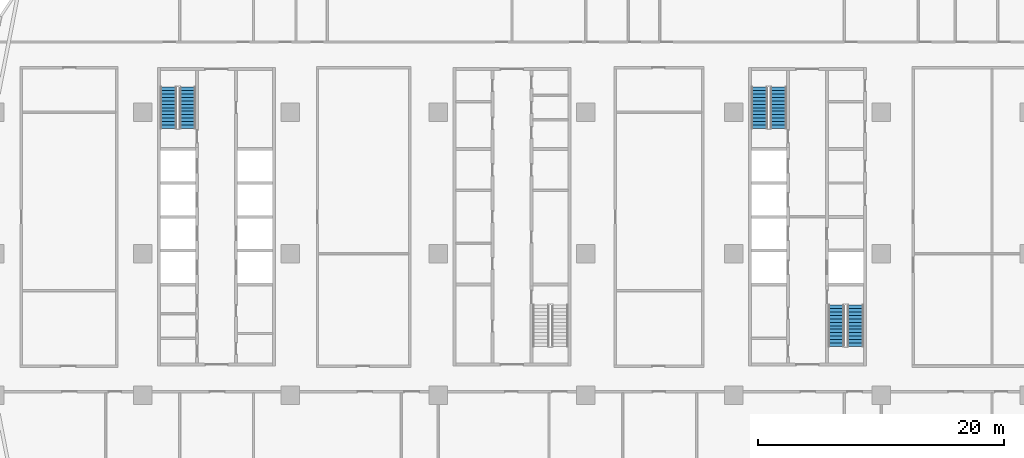
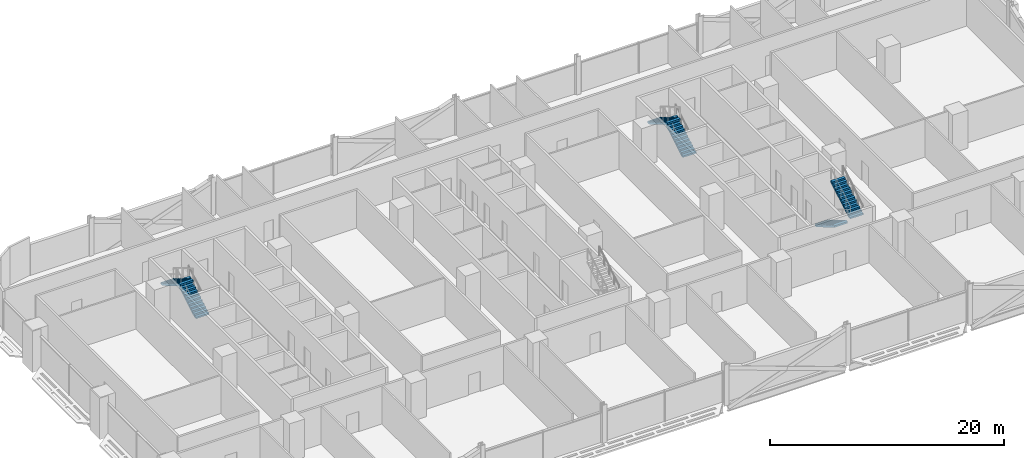
# One storey, part 18 of 29: 6 stair flights, 3 elements without a shape of their own.
"""IFC4 building model written with IfcOpenShell, lengths in metres."""

from ifc_helpers import new_model, si_unit, direction, frame, origin, place, context, subcontext, project, spatial, polyline, outline, extrude, material, type_object, element, aggregate, save


model = new_model("IFC4")

# Units and contexts
model_context = context("Model", 3, precision=1e-05, world=origin(), true_north=direction((0.0, 1.0)))
body_context = subcontext(model_context, "Body", "Model", "MODEL_VIEW")
ifc_project = project(units=[si_unit("LENGTHUNIT", "METRE"), si_unit("AREAUNIT", "SQUARE_METRE"), si_unit("VOLUMEUNIT", "CUBIC_METRE"), si_unit("PLANEANGLEUNIT", "RADIAN"), si_unit("MASSUNIT", "GRAM", prefix="KILO")], contexts=[model_context])

# Site, building, storey
site_placement = place(None, origin())
site = spatial("IfcSite", under=ifc_project, at=site_placement, CompositionType="ELEMENT")
building_placement = place(site_placement, origin())
building = spatial("IfcBuilding", under=site, at=building_placement, Name="Mahtab Terrace Research Tower", CompositionType="ELEMENT")
storey_placement = place(building_placement, frame((0.0, 0.0, 71.800048828125)))
storey = spatial("IfcBuildingStorey", under=building, at=storey_placement, Name="L16", CompositionType="ELEMENT", Elevation=71.800048828125)

# Stair, stair flights
ifc_material_1 = material(Name="Exit stair half-turn")
stair_type = type_object("IfcStairType", Name="Exit stair half-turn", PredefinedType="HALF_TURN_STAIR", material=ifc_material_1)
stair_1_placement = place(storey_placement, origin())
stair_1 = element("IfcStair", 1, at=stair_1_placement, inside=storey, type_object=stair_type, Name="L16 Protected exit stair ST1", PredefinedType="HALF_TURN_STAIR")
ifc_material_2 = material(Name="Concrete C40/50", Category="concrete")
stair_flight_type = type_object("IfcStairFlightType", Name="Exit stair flight 1300", PredefinedType="STRAIGHT", material=ifc_material_2)
stair_flight_1_placement = place(storey_placement, frame((-26.35009765625, 10.175048828125, 0.0), z_axis=(0.0, 0.0, 1.0), x_axis=(0.0, 1.0, 0.0)))
stair_flight_1 = element("IfcStairFlight", 2, at=stair_flight_1_placement, type_object=stair_flight_type, Name="ST1 flight 1", NumberOfRisers=13, NumberOfTreads=12, PredefinedType="STRAIGHT", RiserHeight=0.165384615, TreadLength=0.28, context=body_context, shape_type="SweptSolid", body=[
    extrude(outline(polyline([(0.0, 0.0), (0.0, 0.165283203125), (0.280029296875, 0.165283203125), (0.280029296875, 0.330810546875), (0.56005859375, 0.330810546875), (0.56005859375, 0.49609375), (0.840087890625, 0.49609375), (0.840087890625, 0.66162109375), (1.1201171875, 0.66162109375), (1.1201171875, 0.826904296875), (1.39990234375, 0.826904296875), (1.39990234375, 0.9921875), (1.679931640625, 0.9921875), (1.679931640625, 1.15771484375), (1.9599609375, 1.15771484375), (1.9599609375, 1.322998046875), (2.239990234375, 1.322998046875), (2.239990234375, 1.488525390625), (2.52001953125, 1.488525390625), (2.52001953125, 1.65380859375), (2.800048828125, 1.65380859375), (2.800048828125, 1.8193359375), (3.080078125, 1.8193359375), (3.080078125, 1.984619140625), (3.360107421875, 1.984619140625), (3.360107421875, 2.14990234375), (3.360107421875, 1.810546875), (0.294677734375, 0.0), (0.0, 0.0)])), frame((0.0, 0.64990234375, 0.0), z_axis=(0.0, -1.0, 0.0), x_axis=(1.0, 0.0, 0.0)), (0.0, 0.0, 1.0), 1.300048828125),
])
stair_flight_2_placement = place(storey_placement, frame((-27.89990234375, 13.534912109375, 2.14990234375), z_axis=(0.0, 0.0, 1.0), x_axis=(0.0, -1.0, 0.0)))
stair_flight_2 = element("IfcStairFlight", 3, at=stair_flight_2_placement, type_object=stair_flight_type, Name="ST1 flight 2", NumberOfRisers=13, NumberOfTreads=12, PredefinedType="STRAIGHT", RiserHeight=0.165384615, TreadLength=0.28, context=body_context, shape_type="SweptSolid", body=[
    extrude(outline(polyline([(0.0, 0.0), (0.0, 0.165283203125), (0.280029296875, 0.165283203125), (0.280029296875, 0.330810546875), (0.56005859375, 0.330810546875), (0.56005859375, 0.49609375), (0.840087890625, 0.49609375), (0.840087890625, 0.66162109375), (1.1201171875, 0.66162109375), (1.1201171875, 0.826904296875), (1.39990234375, 0.826904296875), (1.39990234375, 0.9921875), (1.679931640625, 0.9921875), (1.679931640625, 1.15771484375), (1.9599609375, 1.15771484375), (1.9599609375, 1.322998046875), (2.239990234375, 1.322998046875), (2.239990234375, 1.488525390625), (2.52001953125, 1.488525390625), (2.52001953125, 1.65380859375), (2.800048828125, 1.65380859375), (2.800048828125, 1.8193359375), (3.080078125, 1.8193359375), (3.080078125, 1.984619140625), (3.360107421875, 1.984619140625), (3.360107421875, 2.14990234375), (3.360107421875, 1.810546875), (0.294677734375, 0.0), (0.0, 0.0)])), frame((0.0, 0.64990234375, 0.0), z_axis=(0.0, -1.0, 0.0), x_axis=(1.0, 0.0, 0.0)), (0.0, 0.0, 1.0), 1.300048828125),
])
aggregate(stair_1, [stair_flight_1, stair_flight_2])

stair_2_placement = place(storey_placement, origin())
stair_2 = element("IfcStair", 4, at=stair_2_placement, inside=storey, type_object=stair_type, Name="L16 Protected exit stair ST3", PredefinedType="HALF_TURN_STAIR")
stair_flight_3_placement = place(storey_placement, frame((21.64990234375, 10.175048828125, 0.0), z_axis=(0.0, 0.0, 1.0), x_axis=(0.0, 1.0, 0.0)))
stair_flight_3 = element("IfcStairFlight", 5, at=stair_flight_3_placement, type_object=stair_flight_type, Name="ST3 flight 1", NumberOfRisers=13, NumberOfTreads=12, PredefinedType="STRAIGHT", RiserHeight=0.165384615, TreadLength=0.28, context=body_context, shape_type="SweptSolid", body=[
    extrude(outline(polyline([(0.0, 0.0), (0.0, 0.165283203125), (0.280029296875, 0.165283203125), (0.280029296875, 0.330810546875), (0.56005859375, 0.330810546875), (0.56005859375, 0.49609375), (0.840087890625, 0.49609375), (0.840087890625, 0.66162109375), (1.1201171875, 0.66162109375), (1.1201171875, 0.826904296875), (1.39990234375, 0.826904296875), (1.39990234375, 0.9921875), (1.679931640625, 0.9921875), (1.679931640625, 1.15771484375), (1.9599609375, 1.15771484375), (1.9599609375, 1.322998046875), (2.239990234375, 1.322998046875), (2.239990234375, 1.488525390625), (2.52001953125, 1.488525390625), (2.52001953125, 1.65380859375), (2.800048828125, 1.65380859375), (2.800048828125, 1.8193359375), (3.080078125, 1.8193359375), (3.080078125, 1.984619140625), (3.360107421875, 1.984619140625), (3.360107421875, 2.14990234375), (3.360107421875, 1.810546875), (0.294677734375, 0.0), (0.0, 0.0)])), frame((0.0, 0.64990234375, 0.0), z_axis=(0.0, -1.0, 0.0), x_axis=(1.0, 0.0, 0.0)), (0.0, 0.0, 1.0), 1.300048828125),
])
stair_flight_4_placement = place(storey_placement, frame((20.10009765625, 13.534912109375, 2.14990234375), z_axis=(0.0, 0.0, 1.0), x_axis=(0.0, -1.0, 0.0)))
stair_flight_4 = element("IfcStairFlight", 6, at=stair_flight_4_placement, type_object=stair_flight_type, Name="ST3 flight 2", NumberOfRisers=13, NumberOfTreads=12, PredefinedType="STRAIGHT", RiserHeight=0.165384615, TreadLength=0.28, context=body_context, shape_type="SweptSolid", body=[
    extrude(outline(polyline([(0.0, 0.0), (0.0, 0.165283203125), (0.280029296875, 0.165283203125), (0.280029296875, 0.330810546875), (0.56005859375, 0.330810546875), (0.56005859375, 0.49609375), (0.840087890625, 0.49609375), (0.840087890625, 0.66162109375), (1.1201171875, 0.66162109375), (1.1201171875, 0.826904296875), (1.39990234375, 0.826904296875), (1.39990234375, 0.9921875), (1.679931640625, 0.9921875), (1.679931640625, 1.15771484375), (1.9599609375, 1.15771484375), (1.9599609375, 1.322998046875), (2.239990234375, 1.322998046875), (2.239990234375, 1.488525390625), (2.52001953125, 1.488525390625), (2.52001953125, 1.65380859375), (2.800048828125, 1.65380859375), (2.800048828125, 1.8193359375), (3.080078125, 1.8193359375), (3.080078125, 1.984619140625), (3.360107421875, 1.984619140625), (3.360107421875, 2.14990234375), (3.360107421875, 1.810546875), (0.294677734375, 0.0), (0.0, 0.0)])), frame((0.0, 0.64990234375, 0.0), z_axis=(0.0, -1.0, 0.0), x_axis=(1.0, 0.0, 0.0)), (0.0, 0.0, 1.0), 1.300048828125),
])
aggregate(stair_2, [stair_flight_3, stair_flight_4])

stair_3_placement = place(storey_placement, origin())
stair_3 = element("IfcStair", 7, at=stair_3_placement, inside=storey, type_object=stair_type, Name="L16 Protected exit stair ST4", PredefinedType="HALF_TURN_STAIR")
stair_flight_5_placement = place(storey_placement, frame((26.35009765625, -4.175048828125, 0.0), z_axis=(0.0, 0.0, 1.0), x_axis=(0.0, -1.0, 0.0)))
stair_flight_5 = element("IfcStairFlight", 8, at=stair_flight_5_placement, type_object=stair_flight_type, Name="ST4 flight 1", NumberOfRisers=13, NumberOfTreads=12, PredefinedType="STRAIGHT", RiserHeight=0.165384615, TreadLength=0.28, context=body_context, shape_type="SweptSolid", body=[
    extrude(outline(polyline([(0.0, 0.0), (0.0, 0.165283203125), (0.280029296875, 0.165283203125), (0.280029296875, 0.330810546875), (0.56005859375, 0.330810546875), (0.56005859375, 0.49609375), (0.840087890625, 0.49609375), (0.840087890625, 0.66162109375), (1.1201171875, 0.66162109375), (1.1201171875, 0.826904296875), (1.39990234375, 0.826904296875), (1.39990234375, 0.9921875), (1.679931640625, 0.9921875), (1.679931640625, 1.15771484375), (1.9599609375, 1.15771484375), (1.9599609375, 1.322998046875), (2.239990234375, 1.322998046875), (2.239990234375, 1.488525390625), (2.52001953125, 1.488525390625), (2.52001953125, 1.65380859375), (2.800048828125, 1.65380859375), (2.800048828125, 1.8193359375), (3.080078125, 1.8193359375), (3.080078125, 1.984619140625), (3.360107421875, 1.984619140625), (3.360107421875, 2.14990234375), (3.360107421875, 1.810546875), (0.294677734375, 0.0), (0.0, 0.0)])), frame((0.0, 0.64990234375, 0.0), z_axis=(0.0, -1.0, 0.0), x_axis=(1.0, 0.0, 0.0)), (0.0, 0.0, 1.0), 1.300048828125),
])
stair_flight_6_placement = place(storey_placement, frame((27.89990234375, -7.534912109375, 2.14990234375), z_axis=(0.0, 0.0, 1.0), x_axis=(0.0, 1.0, 0.0)))
stair_flight_6 = element("IfcStairFlight", 9, at=stair_flight_6_placement, type_object=stair_flight_type, Name="ST4 flight 2", NumberOfRisers=13, NumberOfTreads=12, PredefinedType="STRAIGHT", RiserHeight=0.165384615, TreadLength=0.28, context=body_context, shape_type="SweptSolid", body=[
    extrude(outline(polyline([(0.0, 0.0), (0.0, 0.165283203125), (0.280029296875, 0.165283203125), (0.280029296875, 0.330810546875), (0.56005859375, 0.330810546875), (0.56005859375, 0.49609375), (0.840087890625, 0.49609375), (0.840087890625, 0.66162109375), (1.1201171875, 0.66162109375), (1.1201171875, 0.826904296875), (1.39990234375, 0.826904296875), (1.39990234375, 0.9921875), (1.679931640625, 0.9921875), (1.679931640625, 1.15771484375), (1.9599609375, 1.15771484375), (1.9599609375, 1.322998046875), (2.239990234375, 1.322998046875), (2.239990234375, 1.488525390625), (2.52001953125, 1.488525390625), (2.52001953125, 1.65380859375), (2.800048828125, 1.65380859375), (2.800048828125, 1.8193359375), (3.080078125, 1.8193359375), (3.080078125, 1.984619140625), (3.360107421875, 1.984619140625), (3.360107421875, 2.14990234375), (3.360107421875, 1.810546875), (0.294677734375, 0.0), (0.0, 0.0)])), frame((0.0, 0.64990234375, 0.0), z_axis=(0.0, -1.0, 0.0), x_axis=(1.0, 0.0, 0.0)), (0.0, 0.0, 1.0), 1.300048828125),
])
aggregate(stair_3, [stair_flight_5, stair_flight_6])

save(model, "model.ifc")
